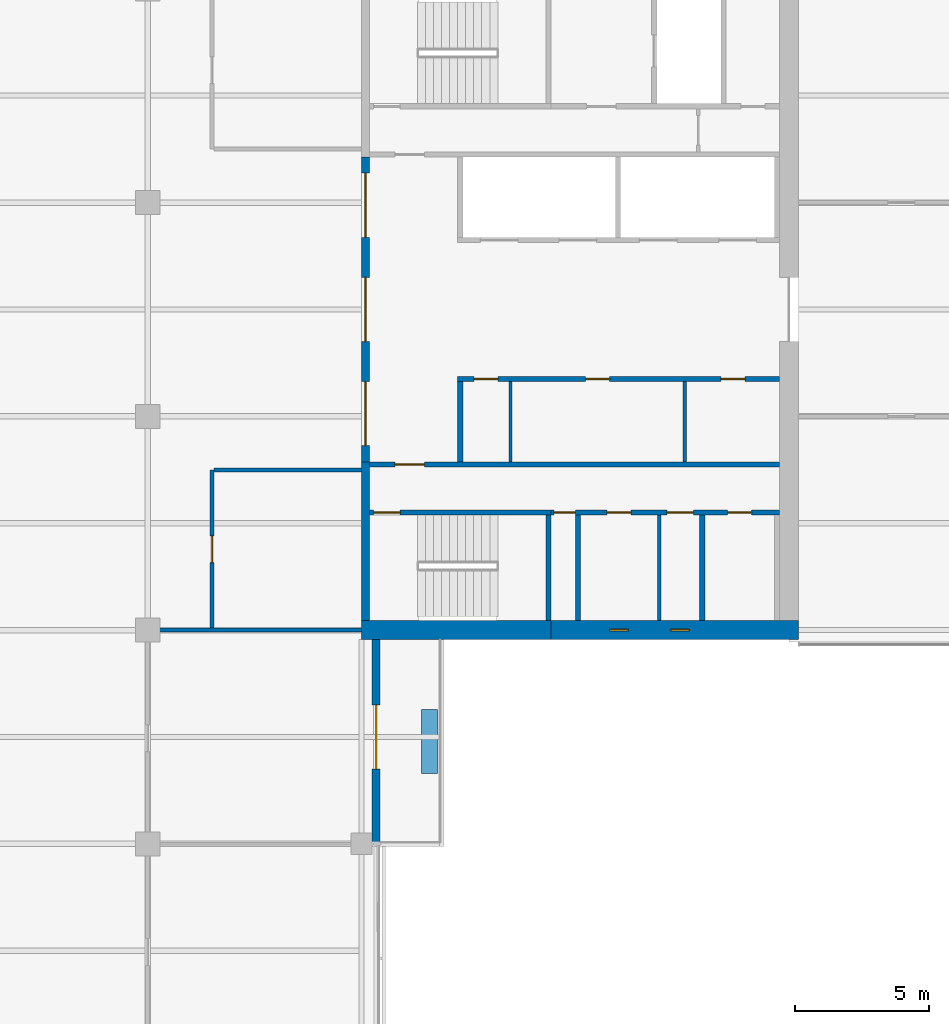
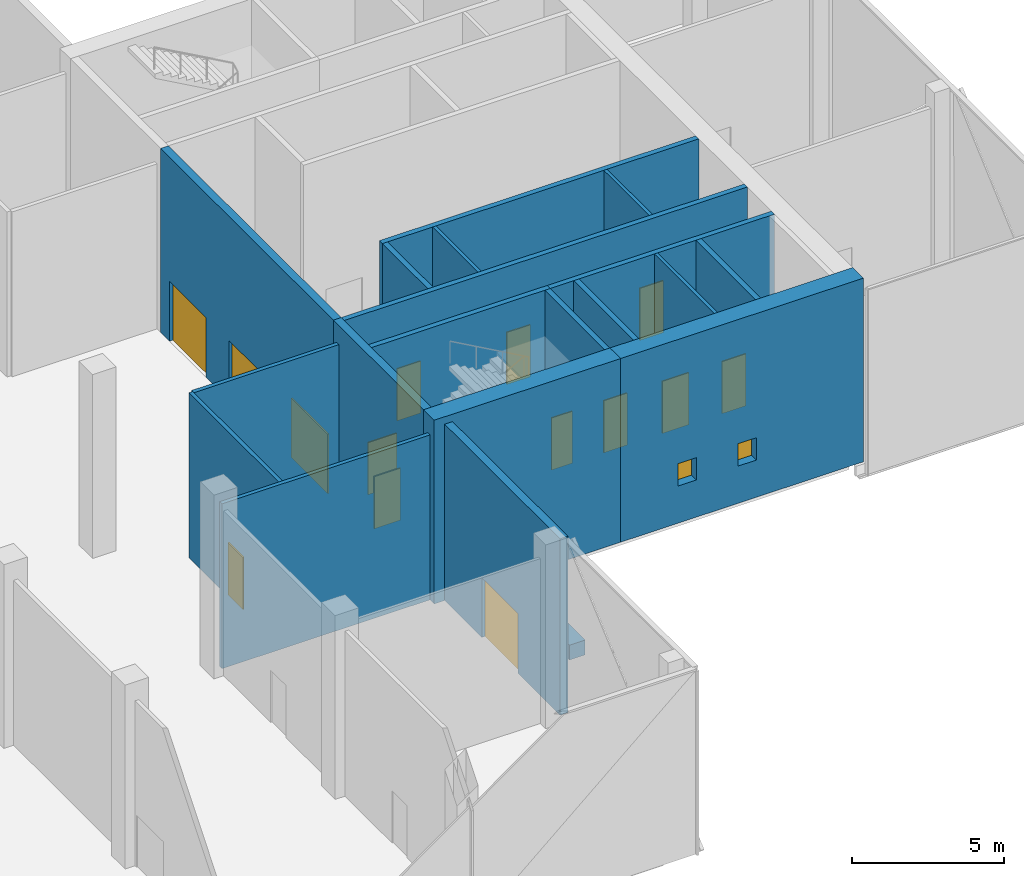
# One storey, part 11 of 20: 20 walls, 14 doors, 2 windows, 16 openings.
"""IFC4 building model written with IfcOpenShell, lengths in metres."""

import ifcopenshell
import ifcopenshell.guid

model = None  # the IFC model being written
_history = None  # IfcOwnerHistory: only IFC2X3 demands one
_inside = {}  # id of a spatial element -> (the spatial element, [elements in it])
_under = {}  # id of a project, library or spatial element -> (it, [spatial elements below it])
_declared = {}  # id of a project -> (the project, [libraries it declares])
_typed = {}  # id of a type object -> (the type object, [elements of that type])
_made_of = {}  # id of a material, layer set ... -> (it, [elements and type objects made of it])


def new_model(schema):
    """Start an empty IFC model of exactly this schema.

    Asked for "IFC4X3", IfcOpenShell would pick the latest addendum, in which some entities
    have other attributes; the version numbers below select the first issue.
    IFC2X3 requires an IfcOwnerHistory on every rooted entity: one is made here for all.
    """
    global model, _history
    if schema == "IFC4X3":
        model = ifcopenshell.file(schema_version=(4, 3, 0, 0))
    else:
        model = ifcopenshell.file(schema=schema)
    _inside.clear()
    _under.clear()
    _declared.clear()
    _typed.clear()
    _made_of.clear()
    _history = None
    if model.schema == "IFC2X3":
        org = make("IfcOrganization", Name="unknown")
        user = make(
            "IfcPersonAndOrganization",
            ThePerson=make("IfcPerson", FamilyName="unknown"),
            TheOrganization=org,
        )
        app = make(
            "IfcApplication",
            ApplicationDeveloper=org,
            Version="unknown",
            ApplicationFullName="unknown",
            ApplicationIdentifier="unknown",
        )
        _history = make(
            "IfcOwnerHistory",
            OwningUser=user,
            OwningApplication=app,
            ChangeAction="ADDED",
            CreationDate=0,
        )
    return model


def make(cls, **values):
    """One entity of the class cls with the attributes given. An attribute that is None is left unset."""
    return model.create_entity(
        cls, **{name: value for name, value in values.items() if value is not None}
    )


def rooted(cls, **values):
    """An entity with a GlobalId (a new one), such as an element, a storey or a relation."""
    return make(cls, GlobalId=ifcopenshell.guid.new(), OwnerHistory=_history, **values)


def si_unit(unit_type, name, prefix=None):
    """IfcSIUnit, for example si_unit("LENGTHUNIT", "METRE", prefix="MILLI")."""
    return make("IfcSIUnit", UnitType=unit_type, Prefix=prefix, Name=name)


def assignment(units):
    """IfcUnitAssignment: the units of a project."""
    return None if units is None else make("IfcUnitAssignment", Units=units)


def point(xyz):
    """IfcCartesianPoint."""
    return None if xyz is None else make("IfcCartesianPoint", Coordinates=xyz)


def direction(xyz):
    """IfcDirection."""
    return None if xyz is None else make("IfcDirection", DirectionRatios=xyz)


def frame(location, z_axis=None, x_axis=None):
    """IfcAxis2Placement3D, a coordinate frame: its origin and axes. An axis left out is left unset."""
    return make(
        "IfcAxis2Placement3D",
        Location=point(location),
        Axis=direction(z_axis),
        RefDirection=direction(x_axis),
    )


def frame_2d(location, x_axis=None):
    """IfcAxis2Placement2D, a coordinate frame in the plane: its origin and x axis."""
    return make(
        "IfcAxis2Placement2D", Location=point(location), RefDirection=direction(x_axis)
    )


def origin():
    """The frame at (0, 0, 0) with its axes left unset."""
    return frame((0.0, 0.0, 0.0))


def place(relative_to, where):
    """IfcLocalPlacement: puts the frame where relative to a parent placement (None: the world)."""
    return make(
        "IfcLocalPlacement", PlacementRelTo=relative_to, RelativePlacement=where
    )


def context(
    kind, dimensions, precision=None, world=None, true_north=None, identifier=None
):
    """IfcGeometricRepresentationContext, for example the 3D "Model" context."""
    return make(
        "IfcGeometricRepresentationContext",
        ContextIdentifier=identifier,
        ContextType=kind,
        CoordinateSpaceDimension=dimensions,
        Precision=precision,
        WorldCoordinateSystem=world,
        TrueNorth=true_north,
    )


def subcontext(parent, identifier, kind, view, scale=None):
    """IfcGeometricRepresentationSubContext, for example "Body" below "Model"."""
    return make(
        "IfcGeometricRepresentationSubContext",
        ContextIdentifier=identifier,
        ContextType=kind,
        ParentContext=parent,
        TargetScale=scale,
        TargetView=view,
    )


def project(units=None, contexts=None):
    """IfcProject with its units and contexts."""
    return rooted(
        "IfcProject",
        Name="project",
        RepresentationContexts=contexts,
        UnitsInContext=assignment(units),
    )


def spatial(cls, under=None, at=None, **own):
    """A site, building, storey or space (cls), placed at a placement, below another one or the project."""
    s = rooted(cls, ObjectPlacement=at, **own)
    if under is not None:
        _under.setdefault(under.id(), (under, []))[1].append(s)
    return s


def profile(cls, at=None, kind="AREA", **sizes):
    """A parametric profile (cls). Its sizes go by their IFC names, for example OverallWidth=200.0."""
    return make(cls, ProfileType=kind, Position=at, **sizes)


def rectangle(**sizes):
    """IfcRectangleProfileDef."""
    return profile("IfcRectangleProfileDef", **sizes)


def extrude(swept, where, along, depth):
    """IfcExtrudedAreaSolid: the profile swept, set in the frame where, extruded along a direction by depth."""
    return make(
        "IfcExtrudedAreaSolid",
        SweptArea=swept,
        Position=where,
        ExtrudedDirection=direction(along),
        Depth=depth,
    )


def shape(context_of_items, identifier, shape_type, items):
    """IfcShapeRepresentation: the items that make up one representation, for example the "Body"."""
    return make(
        "IfcShapeRepresentation",
        ContextOfItems=context_of_items,
        RepresentationIdentifier=identifier,
        RepresentationType=shape_type,
        Items=items,
    )


def material(Name=None, Category=None):
    """IfcMaterial."""
    return make("IfcMaterial", Name=Name, Category=Category)


def layer(
    of_material, thickness, ventilated=None, Name=None, Category=None, Priority=None
):
    """IfcMaterialLayer: one layer of a wall or slab, of a material (None: an air gap)."""
    return make(
        "IfcMaterialLayer",
        Material=of_material,
        LayerThickness=thickness,
        IsVentilated=ventilated,
        Name=Name,
        Category=Category,
        Priority=Priority,
    )


def layer_set(layers, Name=None):
    """IfcMaterialLayerSet."""
    return make("IfcMaterialLayerSet", MaterialLayers=layers, LayerSetName=Name)


def constituent(of_material, Name=None, Category=None, fraction=None):
    """IfcMaterialConstituent: one of the materials an element consists of."""
    return make(
        "IfcMaterialConstituent",
        Name=Name,
        Material=of_material,
        Fraction=fraction,
        Category=Category,
    )


def constituent_set(constituents=None, Name=None):
    """IfcMaterialConstituentSet."""
    return make(
        "IfcMaterialConstituentSet", Name=Name, MaterialConstituents=constituents
    )


def made_of(thing, what):
    """Note that an element or type object is made of a material, layer set ...; save() writes the relation."""
    if what is not None:
        _made_of.setdefault(what.id(), (what, []))[1].append(thing)
    return thing


def type_object(cls, material=None, **own):
    """A type object (cls), such as IfcWallType, which elements share."""
    return made_of(rooted(cls, **own), material)


def element(
    cls,
    number,
    at=None,
    inside=None,
    cuts=None,
    type_object=None,
    material=None,
    context=None,
    identifier="Body",
    shape_type=None,
    held_by="IfcProductDefinitionShape",
    body=None,
    shapes=None,
    **own,
):
    """One element of the class cls, such as IfcWall. Its Tag is "e" and its number.

    at: its placement. inside: the storey or other place that contains it. cuts: it is an
    opening in that element (IfcRelVoidsElement). A single representation is given by context,
    identifier, shape_type and body (its items); several are given by shapes. held_by: the class
    of the entity that holds the representations. save() writes the other relations.
    """
    e = rooted(cls, Tag="e%d" % number, ObjectPlacement=at, **own)
    if body is not None:
        shapes = [shape(context, identifier, shape_type, body)]
    if shapes is not None:
        e.Representation = make(held_by, Representations=shapes)
    if inside is not None:
        _inside.setdefault(inside.id(), (inside, []))[1].append(e)
    if cuts is not None:
        rooted(
            "IfcRelVoidsElement", RelatingBuildingElement=cuts, RelatedOpeningElement=e
        )
    if type_object is not None:
        _typed.setdefault(type_object.id(), (type_object, []))[1].append(e)
    return made_of(e, material)


def fill(opening, filler):
    """IfcRelFillsElement: the door or window that sits in an opening."""
    return rooted(
        "IfcRelFillsElement",
        RelatingOpeningElement=opening,
        RelatedBuildingElement=filler,
    )


def aggregate(whole, parts):
    """IfcRelAggregates: a whole, such as a stair, and the parts it consists of."""
    return rooted("IfcRelAggregates", RelatingObject=whole, RelatedObjects=parts)


def save(model, path):
    """Write the relations noted so far, then the file.

    IfcRelAggregates (storeys below a building ...), IfcRelContainedInSpatialStructure (elements
    in a storey), IfcRelDefinesByType, IfcRelAssociatesMaterial and IfcRelDeclares: one each for
    every whole, place, type object, material and project.
    """
    for whole, parts in _under.values():
        aggregate(whole, parts)
    for where, things in _inside.values():
        rooted(
            "IfcRelContainedInSpatialStructure",
            RelatedElements=things,
            RelatingStructure=where,
        )
    for kind, things in _typed.values():
        rooted("IfcRelDefinesByType", RelatedObjects=things, RelatingType=kind)
    for what, things in _made_of.values():
        rooted("IfcRelAssociatesMaterial", RelatedObjects=things, RelatingMaterial=what)
    for by, libraries in _declared.values():
        rooted("IfcRelDeclares", RelatingContext=by, RelatedDefinitions=libraries)
    model.write(path)


model = new_model("IFC4")

# Units and contexts
model_context = context("Model", 3, precision=1e-05, world=origin(), true_north=direction((0.0, 1.0)))
body_context = subcontext(model_context, "Body", "Model", "MODEL_VIEW")
ifc_project = project(units=[si_unit("LENGTHUNIT", "METRE"), si_unit("AREAUNIT", "SQUARE_METRE"), si_unit("VOLUMEUNIT", "CUBIC_METRE"), si_unit("PLANEANGLEUNIT", "RADIAN"), si_unit("MASSUNIT", "GRAM", prefix="KILO")], contexts=[model_context])

# Site, building, storey
site_placement = place(None, origin())
site = spatial("IfcSite", under=ifc_project, at=site_placement, CompositionType="ELEMENT")
building_placement = place(site_placement, origin())
building = spatial("IfcBuilding", under=site, at=building_placement, Name="Crosswind Convention Tower", CompositionType="ELEMENT")
storey_placement = place(building_placement, frame((0.0, 0.0, 171.5)))
storey = spatial("IfcBuildingStorey", under=building, at=storey_placement, Name="L36", CompositionType="ELEMENT", Elevation=171.5)

# Wall
ifc_material_1 = material(Name="Concrete blockwork", Category="masonry")
ifc_layer_1 = layer(ifc_material_1, 0.199951171875)
ifc_layer_set_1 = layer_set([ifc_layer_1], Name="Blockwork partition wall 200")
wall_type_1 = type_object("IfcWallType", Name="Blockwork partition wall 200", PredefinedType="PARTITIONING", material=ifc_layer_set_1)
wall_1_placement = place(storey_placement, frame((145.10009765625, 88.35009765625, 0.0), z_axis=(0.0, 0.0, 1.0), x_axis=(0.0, 1.0, 0.0)))
element("IfcWall", 1, at=wall_1_placement, inside=storey, type_object=wall_type_1, Name="Wall MRSE E L36", PredefinedType="PARTITIONING", context=body_context, shape_type="SweptSolid", body=[
    extrude(rectangle(XDim=3.949951171875, YDim=0.199951171875, at=frame_2d((1.97509765625, 0.0))), origin(), (0.0, 0.0, 1.0), 7.39990234375),
])

# Wall, openings, doors
ifc_material_2 = material(Name="Concrete C50/60", Category="concrete")
ifc_layer_2 = layer(ifc_material_2, 0.300048828125)
ifc_layer_set_2 = layer_set([ifc_layer_2], Name="Concrete C50/60")
wall_type_2 = type_object("IfcWallType", Name="Concrete inner core wall 300", PredefinedType="SHEAR", material=ifc_layer_set_2)
wall_2_placement = place(storey_placement, frame((137.14990234375, 94.300048828125, 0.0), z_axis=(0.0, 0.0, 1.0), x_axis=(0.0, 1.0, 0.0)))
wall_2 = element("IfcWall", 2, at=wall_2_placement, inside=storey, type_object=wall_type_2, Name="Wall SCR E L36", PredefinedType="SHEAR", context=body_context, shape_type="SweptSolid", body=[
    extrude(rectangle(XDim=11.39990234375, YDim=0.300048828125, at=frame_2d((5.699951171875, 0.0))), origin(), (0.0, 0.0, 1.0), 7.39990234375),
])
opening_1_placement = place(wall_2_placement, frame((0.60009765625, 0.0, 0.0)))
opening_1 = element("IfcOpeningElement", 3, at=opening_1_placement, cuts=wall_2, Name="Opening D100", PredefinedType="OPENING", context=body_context, shape_type="SweptSolid", body=[
    extrude(rectangle(XDim=2.39990234375, YDim=2.39990234375, at=frame_2d((1.199951171875, 1.199951171875))), frame((0.0, 0.159912109375, 0.0), z_axis=(0.0, -1.0, 0.0), x_axis=(1.0, 0.0, 0.0)), (0.0, 0.0, 1.0), 0.320068359375),
])
opening_2_placement = place(wall_2_placement, frame((4.5, 0.0, 0.0)))
opening_2 = element("IfcOpeningElement", 4, at=opening_2_placement, cuts=wall_2, Name="Opening D100", PredefinedType="OPENING", context=body_context, shape_type="SweptSolid", body=[
    extrude(rectangle(XDim=2.39990234375, YDim=2.39990234375, at=frame_2d((1.199951171875, 1.199951171875))), frame((0.0, 0.159912109375, 0.0), z_axis=(0.0, -1.0, 0.0), x_axis=(1.0, 0.0, 0.0)), (0.0, 0.0, 1.0), 0.320068359375),
])
opening_3_placement = place(wall_2_placement, frame((8.39990234375, 0.0, 0.0)))
opening_3 = element("IfcOpeningElement", 5, at=opening_3_placement, cuts=wall_2, Name="Opening D100", PredefinedType="OPENING", context=body_context, shape_type="SweptSolid", body=[
    extrude(rectangle(XDim=2.39990234375, YDim=2.39990234375, at=frame_2d((1.199951171875, 1.199951171875))), frame((0.0, 0.159912109375, 0.0), z_axis=(0.0, -1.0, 0.0), x_axis=(1.0, 0.0, 0.0)), (0.0, 0.0, 1.0), 0.320068359375),
])
ifc_material_3 = material(Name="Steel fire door with glazed vision panels", Category="steel")
door_type_1 = type_object("IfcDoorType", Name="Fire-rated double door 2400x2400", OperationType="DOUBLE_DOOR_SINGLE_SWING", PredefinedType="DOOR", material=ifc_material_3)
door_1_placement = place(opening_1_placement, origin())
door_1 = element("IfcDoor", 6, at=door_1_placement, inside=storey, type_object=door_type_1, Name="Lobby door 1 L36", ObjectType="D100", OperationType="DOUBLE_DOOR_SINGLE_SWING", OverallHeight=2.39990234375, OverallWidth=2.39990234375, PredefinedType="DOOR", context=body_context, shape_type="SweptSolid", body=[
    extrude(rectangle(XDim=2.39990234375, YDim=2.39990234375, at=frame_2d((1.199951171875, 1.199951171875))), frame((0.0, 0.02490234375, 0.0), z_axis=(0.0, -1.0, 0.0), x_axis=(1.0, 0.0, 0.0)), (0.0, 0.0, 1.0), 0.050048828125),
])
fill(opening_1, door_1)
door_2_placement = place(opening_2_placement, origin())
door_2 = element("IfcDoor", 7, at=door_2_placement, inside=storey, type_object=door_type_1, Name="Lobby door 2 L36", ObjectType="D100", OperationType="DOUBLE_DOOR_SINGLE_SWING", OverallHeight=2.39990234375, OverallWidth=2.39990234375, PredefinedType="DOOR", context=body_context, shape_type="SweptSolid", body=[
    extrude(rectangle(XDim=2.39990234375, YDim=2.39990234375, at=frame_2d((1.199951171875, 1.199951171875))), frame((0.0, 0.02490234375, 0.0), z_axis=(0.0, -1.0, 0.0), x_axis=(1.0, 0.0, 0.0)), (0.0, 0.0, 1.0), 0.050048828125),
])
fill(opening_2, door_2)
door_3_placement = place(opening_3_placement, origin())
door_3 = element("IfcDoor", 8, at=door_3_placement, inside=storey, type_object=door_type_1, Name="Lobby door 3 L36", ObjectType="D100", OperationType="DOUBLE_DOOR_SINGLE_SWING", OverallHeight=2.39990234375, OverallWidth=2.39990234375, PredefinedType="DOOR", context=body_context, shape_type="SweptSolid", body=[
    extrude(rectangle(XDim=2.39990234375, YDim=2.39990234375, at=frame_2d((1.199951171875, 1.199951171875))), frame((0.0, 0.02490234375, 0.0), z_axis=(0.0, -1.0, 0.0), x_axis=(1.0, 0.0, 0.0)), (0.0, 0.0, 1.0), 0.050048828125),
])
fill(opening_3, door_3)

# Walls
wall_3_placement = place(storey_placement, frame((137.14990234375, 88.35009765625, 0.0), z_axis=(0.0, 0.0, 1.0), x_axis=(0.0, 1.0, 0.0)))
element("IfcWall", 9, at=wall_3_placement, inside=storey, type_object=wall_type_2, Name="Wall EM E L36", PredefinedType="SHEAR", context=body_context, shape_type="SweptSolid", body=[
    extrude(rectangle(XDim=5.949951171875, YDim=0.300048828125, at=frame_2d((2.97509765625, 0.0))), origin(), (0.0, 0.0, 1.0), 7.39990234375),
])
ifc_layer_3 = layer(ifc_material_2, 0.199951171875)
ifc_layer_set_3 = layer_set([ifc_layer_3], Name="Concrete C50/60")
wall_type_3 = type_object("IfcWallType", Name="Concrete shaft and stair wall 200", PredefinedType="SHEAR", material=ifc_layer_set_3)
wall_4_placement = place(storey_placement, frame((140.699951171875, 94.300048828125, 0.0), z_axis=(0.0, 0.0, 1.0), x_axis=(0.0, 1.0, 0.0)))
element("IfcWall", 10, at=wall_4_placement, inside=storey, type_object=wall_type_3, Name="Wall RMEND E L36", PredefinedType="SHEAR", context=body_context, shape_type="SweptSolid", body=[
    extrude(rectangle(XDim=3.0, YDim=0.199951171875, at=frame_2d((1.5, 0.0))), origin(), (0.0, 0.0, 1.0), 7.39990234375),
])

# Wall, openings, doors
wall_5_placement = place(storey_placement, frame((140.60009765625, 97.39990234375, 0.0), z_axis=(0.0, 0.0, 1.0), x_axis=(1.0, 0.0, 0.0)))
wall_5 = element("IfcWall", 11, at=wall_5_placement, inside=storey, type_object=wall_type_3, Name="Wall RMFRONT E L36", PredefinedType="SHEAR", context=body_context, shape_type="SweptSolid", body=[
    extrude(rectangle(XDim=12.0498046875, YDim=0.199951171875, at=frame_2d((6.02490234375, 0.0))), origin(), (0.0, 0.0, 1.0), 7.39990234375),
])
opening_4_placement = place(wall_5_placement, frame((0.607421875, 0.0, 0.0)))
opening_4 = element("IfcOpeningElement", 12, at=opening_4_placement, cuts=wall_5, Name="Opening D106", PredefinedType="OPENING", context=body_context, shape_type="SweptSolid", body=[
    extrude(rectangle(XDim=0.89990234375, YDim=2.10009765625, at=frame_2d((0.449951171875, 1.050048828125))), frame((0.0, 0.10986328125, 0.0), z_axis=(0.0, -1.0, 0.0), x_axis=(1.0, 0.0, 0.0)), (0.0, 0.0, 1.0), 0.219970703125),
])
opening_5_placement = place(wall_5_placement, frame((4.7861328125, 0.0, 0.0)))
opening_5 = element("IfcOpeningElement", 13, at=opening_5_placement, cuts=wall_5, Name="Opening D106", PredefinedType="OPENING", context=body_context, shape_type="SweptSolid", body=[
    extrude(rectangle(XDim=0.89990234375, YDim=2.10009765625, at=frame_2d((0.449951171875, 1.050048828125))), frame((0.0, 0.10986328125, 0.0), z_axis=(0.0, -1.0, 0.0), x_axis=(1.0, 0.0, 0.0)), (0.0, 0.0, 1.0), 0.219970703125),
])
opening_6_placement = place(wall_5_placement, frame((9.853759765625, 0.0, 0.0)))
opening_6 = element("IfcOpeningElement", 14, at=opening_6_placement, cuts=wall_5, Name="Opening D106", PredefinedType="OPENING", context=body_context, shape_type="SweptSolid", body=[
    extrude(rectangle(XDim=0.89990234375, YDim=2.10009765625, at=frame_2d((0.449951171875, 1.050048828125))), frame((0.0, 0.10986328125, 0.0), z_axis=(0.0, -1.0, 0.0), x_axis=(1.0, 0.0, 0.0)), (0.0, 0.0, 1.0), 0.219970703125),
])
ifc_material_4 = material(Name="Timber door", Category="wood")
door_type_2 = type_object("IfcDoorType", Name="Single leaf door 900x2100", OperationType="NOTDEFINED", PredefinedType="DOOR", material=ifc_material_4)
door_4_placement = place(opening_4_placement, frame((0.89990234375, 0.0, 0.0), z_axis=(0.0, 0.0, 1.0), x_axis=(-1.0, 0.0, 0.0)))
door_4 = element("IfcDoor", 15, at=door_4_placement, inside=storey, type_object=door_type_2, Name="Door to meeting room L36", ObjectType="D106", OperationType="SINGLE_SWING_LEFT", OverallHeight=2.10009765625, OverallWidth=0.89990234375, PredefinedType="DOOR", context=body_context, shape_type="SweptSolid", body=[
    extrude(rectangle(XDim=0.89990234375, YDim=2.10009765625, at=frame_2d((0.449951171875, 1.050048828125))), frame((0.0, 0.02490234375, 0.0), z_axis=(0.0, -1.0, 0.0), x_axis=(1.0, 0.0, 0.0)), (0.0, 0.0, 1.0), 0.050048828125),
])
fill(opening_4, door_4)
door_5_placement = place(opening_5_placement, frame((0.89990234375, 0.0, 0.0), z_axis=(0.0, 0.0, 1.0), x_axis=(-1.0, 0.0, 0.0)))
door_5 = element("IfcDoor", 16, at=door_5_placement, inside=storey, type_object=door_type_2, Name="Door to storeroom L36", ObjectType="D106", OperationType="SINGLE_SWING_LEFT", OverallHeight=2.10009765625, OverallWidth=0.89990234375, PredefinedType="DOOR", context=body_context, shape_type="SweptSolid", body=[
    extrude(rectangle(XDim=0.89990234375, YDim=2.10009765625, at=frame_2d((0.449951171875, 1.050048828125))), frame((0.0, 0.02490234375, 0.0), z_axis=(0.0, -1.0, 0.0), x_axis=(1.0, 0.0, 0.0)), (0.0, 0.0, 1.0), 0.050048828125),
])
fill(opening_5, door_5)
door_6_placement = place(opening_6_placement, frame((0.89990234375, 0.0, 0.0), z_axis=(0.0, 0.0, 1.0), x_axis=(-1.0, 0.0, 0.0)))
door_6 = element("IfcDoor", 17, at=door_6_placement, inside=storey, type_object=door_type_2, Name="Door to print room L36", ObjectType="D106", OperationType="SINGLE_SWING_LEFT", OverallHeight=2.10009765625, OverallWidth=0.89990234375, PredefinedType="DOOR", context=body_context, shape_type="SweptSolid", body=[
    extrude(rectangle(XDim=0.89990234375, YDim=2.10009765625, at=frame_2d((0.449951171875, 1.050048828125))), frame((0.0, 0.02490234375, 0.0), z_axis=(0.0, -1.0, 0.0), x_axis=(1.0, 0.0, 0.0)), (0.0, 0.0, 1.0), 0.050048828125),
])
fill(opening_6, door_6)

# Wall, opening, door
wall_6_placement = place(storey_placement, frame((137.300048828125, 94.199951171875, 0.0), z_axis=(0.0, 0.0, 1.0), x_axis=(1.0, 0.0, 0.0)))
wall_6 = element("IfcWall", 18, at=wall_6_placement, inside=storey, type_object=wall_type_3, Name="Wall HM E L36", PredefinedType="SHEAR", context=body_context, shape_type="SweptSolid", body=[
    extrude(rectangle(XDim=15.349853515625, YDim=0.199951171875, at=frame_2d((7.6748046875, 0.0))), origin(), (0.0, 0.0, 1.0), 7.39990234375),
])
opening_7_placement = place(wall_6_placement, frame((0.949951171875, 0.0, 0.0)))
opening_7 = element("IfcOpeningElement", 19, at=opening_7_placement, cuts=wall_6, Name="Opening D104", PredefinedType="OPENING", context=body_context, shape_type="SweptSolid", body=[
    extrude(rectangle(XDim=1.10009765625, YDim=2.10009765625, at=frame_2d((0.550048828125, 1.050048828125))), frame((0.0, 0.10986328125, 0.0), z_axis=(0.0, -1.0, 0.0), x_axis=(1.0, 0.0, 0.0)), (0.0, 0.0, 1.0), 0.219970703125),
])
ifc_material_5 = material(Name="Steel fire door", Category="steel")
door_type_3 = type_object("IfcDoorType", Name="Fire-rated single door 1100x2100", OperationType="NOTDEFINED", PredefinedType="DOOR", material=ifc_material_5)
door_7_placement = place(opening_7_placement, origin())
door_7 = element("IfcDoor", 20, at=door_7_placement, inside=storey, type_object=door_type_3, Name="Corridor door L36", ObjectType="D104", OperationType="SINGLE_SWING_LEFT", OverallHeight=2.10009765625, OverallWidth=1.10009765625, PredefinedType="DOOR", context=body_context, shape_type="SweptSolid", body=[
    extrude(rectangle(XDim=1.10009765625, YDim=2.10009765625, at=frame_2d((0.550048828125, 1.050048828125))), frame((0.0, 0.02490234375, 0.0), z_axis=(0.0, -1.0, 0.0), x_axis=(1.0, 0.0, 0.0)), (0.0, 0.0, 1.0), 0.050048828125),
])
fill(opening_7, door_7)

# Walls
for number, where, z_axis, x_axis, name in (
    (21, (144.0, 88.35009765625, 0.0), (0.0, 0.0, 1.0), (0.0, 1.0, 0.0), "Wall MSE E L36"),
    (22, (149.75, 88.35009765625, 0.0), (0.0, 0.0, 1.0), (0.0, 1.0, 0.0), "Wall MFSW E L36"),
):
    element("IfcWall", number, at=place(storey_placement, frame(where, z_axis=z_axis, x_axis=x_axis)), inside=storey, type_object=wall_type_3, Name=name, PredefinedType="SHEAR", context=body_context, shape_type="SweptSolid", body=[
        extrude(rectangle(XDim=3.949951171875, YDim=0.199951171875, at=frame_2d((1.97509765625, 0.0))), origin(), (0.0, 0.0, 1.0), 7.39990234375),
    ])

# Wall, opening, door
wall_7_placement = place(storey_placement, frame((137.300048828125, 92.39990234375, 0.0), z_axis=(0.0, 0.0, 1.0), x_axis=(1.0, 0.0, 0.0)))
wall_7 = element("IfcWall", 23, at=wall_7_placement, inside=storey, type_object=wall_type_3, Name="Wall MCW E L36", PredefinedType="SHEAR", context=body_context, shape_type="SweptSolid", body=[
    extrude(rectangle(XDim=6.800048828125, YDim=0.199951171875, at=frame_2d((3.39990234375, 0.0))), origin(), (0.0, 0.0, 1.0), 7.39990234375),
])
opening_8_placement = place(wall_7_placement, frame((0.14990234375, 0.0, 0.0)))
opening_8 = element("IfcOpeningElement", 24, at=opening_8_placement, cuts=wall_7, Name="Opening D103", PredefinedType="OPENING", context=body_context, shape_type="SweptSolid", body=[
    extrude(rectangle(XDim=1.0, YDim=2.10009765625, at=frame_2d((0.5, 1.050048828125))), frame((0.0, 0.10986328125, 0.0), z_axis=(0.0, -1.0, 0.0), x_axis=(1.0, 0.0, 0.0)), (0.0, 0.0, 1.0), 0.219970703125),
])
door_type_4 = type_object("IfcDoorType", Name="Fire-rated single door 1000x2100", OperationType="NOTDEFINED", PredefinedType="DOOR", material=ifc_material_5)
door_8_placement = place(opening_8_placement, frame((1.0, 0.0, 0.0), z_axis=(0.0, 0.0, 1.0), x_axis=(-1.0, 0.0, 0.0)))
door_8 = element("IfcDoor", 25, at=door_8_placement, inside=storey, type_object=door_type_4, Name="Stair ST2 door L36", ObjectType="D103", OperationType="SINGLE_SWING_RIGHT", OverallHeight=2.10009765625, OverallWidth=1.0, PredefinedType="DOOR", context=body_context, shape_type="SweptSolid", body=[
    extrude(rectangle(XDim=1.0, YDim=2.10009765625, at=frame_2d((0.5, 1.050048828125))), frame((0.0, 0.02490234375, 0.0), z_axis=(0.0, -1.0, 0.0), x_axis=(1.0, 0.0, 0.0)), (0.0, 0.0, 1.0), 0.050048828125),
])
fill(opening_8, door_8)

# Wall, openings, doors
wall_8_placement = place(storey_placement, frame((144.10009765625, 92.39990234375, 0.0), z_axis=(0.0, 0.0, 1.0), x_axis=(1.0, 0.0, 0.0)))
wall_8 = element("IfcWall", 26, at=wall_8_placement, inside=storey, type_object=wall_type_3, Name="Wall MCX E L36", PredefinedType="SHEAR", context=body_context, shape_type="SweptSolid", body=[
    extrude(rectangle(XDim=8.5498046875, YDim=0.199951171875, at=frame_2d((4.27490234375, 0.0))), origin(), (0.0, 0.0, 1.0), 7.39990234375),
])
opening_9_placement = place(wall_8_placement, frame((0.10009765625, 0.0, 0.0)))
opening_9 = element("IfcOpeningElement", 27, at=opening_9_placement, cuts=wall_8, Name="Opening D105", PredefinedType="OPENING", context=body_context, shape_type="SweptSolid", body=[
    extrude(rectangle(XDim=0.800048828125, YDim=2.10009765625, at=frame_2d((0.39990234375, 1.050048828125))), frame((0.0, 0.10986328125, 0.0), z_axis=(0.0, -1.0, 0.0), x_axis=(1.0, 0.0, 0.0)), (0.0, 0.0, 1.0), 0.219970703125),
])
opening_10_placement = place(wall_8_placement, frame((2.087158203125, 0.0, 0.0)))
opening_10 = element("IfcOpeningElement", 28, at=opening_10_placement, cuts=wall_8, Name="Opening D106", PredefinedType="OPENING", context=body_context, shape_type="SweptSolid", body=[
    extrude(rectangle(XDim=0.89990234375, YDim=2.10009765625, at=frame_2d((0.449951171875, 1.050048828125))), frame((0.0, 0.10986328125, 0.0), z_axis=(0.0, -1.0, 0.0), x_axis=(1.0, 0.0, 0.0)), (0.0, 0.0, 1.0), 0.219970703125),
])
opening_11_placement = place(wall_8_placement, frame((4.32470703125, 0.0, 0.0)))
opening_11 = element("IfcOpeningElement", 29, at=opening_11_placement, cuts=wall_8, Name="Opening D103", PredefinedType="OPENING", context=body_context, shape_type="SweptSolid", body=[
    extrude(rectangle(XDim=1.0, YDim=2.10009765625, at=frame_2d((0.5, 1.050048828125))), frame((0.0, 0.10986328125, 0.0), z_axis=(0.0, -1.0, 0.0), x_axis=(1.0, 0.0, 0.0)), (0.0, 0.0, 1.0), 0.219970703125),
])
opening_12_placement = place(wall_8_placement, frame((6.60009765625, 0.0, 0.0)))
opening_12 = element("IfcOpeningElement", 30, at=opening_12_placement, cuts=wall_8, Name="Opening D106", PredefinedType="OPENING", context=body_context, shape_type="SweptSolid", body=[
    extrude(rectangle(XDim=0.89990234375, YDim=2.10009765625, at=frame_2d((0.449951171875, 1.050048828125))), frame((0.0, 0.10986328125, 0.0), z_axis=(0.0, -1.0, 0.0), x_axis=(1.0, 0.0, 0.0)), (0.0, 0.0, 1.0), 0.219970703125),
])
door_9_placement = place(opening_11_placement, frame((1.0, 0.0, 0.0), z_axis=(0.0, 0.0, 1.0), x_axis=(-1.0, 0.0, 0.0)))
door_9 = element("IfcDoor", 31, at=door_9_placement, inside=storey, type_object=door_type_4, Name="Door to accessible wc L36", ObjectType="D103", OperationType="SINGLE_SWING_LEFT", OverallHeight=2.10009765625, OverallWidth=1.0, PredefinedType="DOOR", context=body_context, shape_type="SweptSolid", body=[
    extrude(rectangle(XDim=1.0, YDim=2.10009765625, at=frame_2d((0.5, 1.050048828125))), frame((0.0, 0.02490234375, 0.0), z_axis=(0.0, -1.0, 0.0), x_axis=(1.0, 0.0, 0.0)), (0.0, 0.0, 1.0), 0.050048828125),
])
fill(opening_11, door_9)
door_type_5 = type_object("IfcDoorType", Name="Riser access door 800x2100", OperationType="NOTDEFINED", PredefinedType="DOOR", material=ifc_material_5)
door_10_placement = place(opening_9_placement, frame((0.800048828125, 0.0, 0.0), z_axis=(0.0, 0.0, 1.0), x_axis=(-1.0, 0.0, 0.0)))
door_10 = element("IfcDoor", 32, at=door_10_placement, inside=storey, type_object=door_type_5, Name="Riser door L36", ObjectType="D105", OperationType="SINGLE_SWING_LEFT", OverallHeight=2.10009765625, OverallWidth=0.800048828125, PredefinedType="DOOR", context=body_context, shape_type="SweptSolid", body=[
    extrude(rectangle(XDim=0.800048828125, YDim=2.10009765625, at=frame_2d((0.39990234375, 1.050048828125))), frame((0.0, 0.02490234375, 0.0), z_axis=(0.0, -1.0, 0.0), x_axis=(1.0, 0.0, 0.0)), (0.0, 0.0, 1.0), 0.050048828125),
])
fill(opening_9, door_10)
door_11_placement = place(opening_10_placement, frame((0.89990234375, 0.0, 0.0), z_axis=(0.0, 0.0, 1.0), x_axis=(-1.0, 0.0, 0.0)))
door_11 = element("IfcDoor", 33, at=door_11_placement, inside=storey, type_object=door_type_2, Name="Door to wc L36", ObjectType="D106", OperationType="SINGLE_SWING_LEFT", OverallHeight=2.10009765625, OverallWidth=0.89990234375, PredefinedType="DOOR", context=body_context, shape_type="SweptSolid", body=[
    extrude(rectangle(XDim=0.89990234375, YDim=2.10009765625, at=frame_2d((0.449951171875, 1.050048828125))), frame((0.0, 0.02490234375, 0.0), z_axis=(0.0, -1.0, 0.0), x_axis=(1.0, 0.0, 0.0)), (0.0, 0.0, 1.0), 0.050048828125),
])
fill(opening_10, door_11)
door_12_placement = place(opening_12_placement, frame((0.89990234375, 0.0, 0.0), z_axis=(0.0, 0.0, 1.0), x_axis=(-1.0, 0.0, 0.0)))
door_12 = element("IfcDoor", 34, at=door_12_placement, inside=storey, type_object=door_type_2, Name="Door to accessible wc L36", ObjectType="D106", OperationType="SINGLE_SWING_LEFT", OverallHeight=2.10009765625, OverallWidth=0.89990234375, PredefinedType="DOOR", context=body_context, shape_type="SweptSolid", body=[
    extrude(rectangle(XDim=0.89990234375, YDim=2.10009765625, at=frame_2d((0.449951171875, 1.050048828125))), frame((0.0, 0.02490234375, 0.0), z_axis=(0.0, -1.0, 0.0), x_axis=(1.0, 0.0, 0.0)), (0.0, 0.0, 1.0), 0.050048828125),
])
fill(opening_12, door_12)

# Walls
ifc_material_6 = material(Name="Gypsum plasterboard partition", Category="gypsum")
ifc_layer_4 = layer(ifc_material_6, 0.125)
ifc_layer_set_4 = layer_set([ifc_layer_4], Name="Drywall partition wall 125")
wall_type_4 = type_object("IfcWallType", Name="Drywall partition wall 125", PredefinedType="PARTITIONING", material=ifc_layer_set_4)
for number, where, z_axis, x_axis, name in (
    (35, (142.577392578125, 94.300048828125, 0.0), (0.0, 0.0, 1.0), (0.0, 1.0, 0.0), "Wall RMP1 E L36"),
    (36, (149.094970703125, 94.300048828125, 0.0), (0.0, 0.0, 1.0), (0.0, 1.0, 0.0), "Wall RMP2 E L36"),
):
    element("IfcWall", number, at=place(storey_placement, frame(where, z_axis=z_axis, x_axis=x_axis)), inside=storey, type_object=wall_type_4, Name=name, PredefinedType="PARTITIONING", context=body_context, shape_type="SweptSolid", body=[
        extrude(rectangle(XDim=3.0, YDim=0.125, at=frame_2d((1.5, 0.0))), origin(), (0.0, 0.0, 1.0), 7.39990234375),
    ])
wall_9_placement = place(storey_placement, frame((148.136962890625, 88.35009765625, 0.0), z_axis=(0.0, 0.0, 1.0), x_axis=(0.0, 1.0, 0.0)))
element("IfcWall", 37, at=wall_9_placement, inside=storey, type_object=wall_type_4, Name="Wall MWP1 E L36", PredefinedType="PARTITIONING", context=body_context, shape_type="SweptSolid", body=[
    extrude(rectangle(XDim=3.949951171875, YDim=0.125, at=frame_2d((1.97509765625, 0.0))), origin(), (0.0, 0.0, 1.0), 7.39990234375),
])
ifc_material_7 = material(Name="Concrete C30/37", Category="concrete")
ifc_layer_5 = layer(ifc_material_7, 0.60009765625)
ifc_layer_set_5 = layer_set([ifc_layer_5], Name="Concrete C30/37")
wall_type_5 = type_object("IfcWallType", Name="PLANTER BOX WALL 600", PredefinedType="SOLIDWALL", material=ifc_layer_set_5)
wall_10_placement = place(storey_placement, frame((139.550048828125, 82.625, 0.0), z_axis=(0.0, 0.0, 1.0), x_axis=(0.0, 1.0, 0.0)))
element("IfcWall", 38, at=wall_10_placement, inside=storey, type_object=wall_type_5, Name="PLANTER L36 S-E.1-2", PredefinedType="SOLIDWALL", context=body_context, shape_type="SweptSolid", body=[
    extrude(rectangle(XDim=2.39990234375, YDim=0.60009765625, at=frame_2d((1.199951171875, 0.0))), origin(), (0.0, 0.0, 1.0), 0.60009765625),
])

# Wall, opening, door
ifc_material_8 = material(Name="Fire-board partition with mineral wool", Category="gypsum")
ifc_layer_6 = layer(ifc_material_8, 0.14990234375)
ifc_layer_set_6 = layer_set([ifc_layer_6], Name="TENANCY WALL 150 TWO-HOUR BOARD")
wall_type_6 = type_object("IfcWallType", Name="TENANCY WALL 150 TWO-HOUR BOARD", PredefinedType="PARTITIONING", material=ifc_layer_set_6)
wall_11_placement = place(storey_placement, frame((131.39990234375, 88.074951171875, 0.0), z_axis=(0.0, 0.0, 1.0), x_axis=(0.0, 1.0, 0.0)))
wall_11 = element("IfcWall", 39, at=wall_11_placement, inside=storey, type_object=wall_type_6, Name="Tenancy wall WT41", PredefinedType="PARTITIONING", context=body_context, shape_type="SweptSolid", body=[
    extrude(rectangle(XDim=5.925048828125, YDim=0.14990234375, at=frame_2d((2.96240234375, 0.0))), origin(), (0.0, 0.0, 1.0), 6.639892578125),
])
opening_13_placement = place(wall_11_placement, frame((2.449951171875, 0.0, 0.0)))
opening_13 = element("IfcOpeningElement", 40, at=opening_13_placement, cuts=wall_11, Name="Opening L36-59", PredefinedType="OPENING", context=body_context, shape_type="SweptSolid", body=[
    extrude(rectangle(XDim=1.0, YDim=2.10009765625, at=frame_2d((0.5, 1.050048828125))), frame((0.0, 0.0849609375, 0.0), z_axis=(0.0, -1.0, 0.0), x_axis=(1.0, 0.0, 0.0)), (0.0, 0.0, 1.0), 0.169921875),
])
ifc_material_9 = material(Name="Timber fire door", Category="wood")
door_type_6 = type_object("IfcDoorType", Name="TENANCY ENTRANCE DOOR 1000X2100 FD30S", OperationType="NOTDEFINED", PredefinedType="DOOR", material=ifc_material_9)
door_13_placement = place(opening_13_placement, frame((1.0, 0.0, 0.0), z_axis=(0.0, 0.0, 1.0), x_axis=(-1.0, 0.0, 0.0)))
door_13 = element("IfcDoor", 41, at=door_13_placement, inside=storey, type_object=door_type_6, Name="Door L36-59", ObjectType="D41", OperationType="SINGLE_SWING_LEFT", OverallHeight=2.10009765625, OverallWidth=1.0, PredefinedType="DOOR", context=body_context, shape_type="SweptSolid", body=[
    extrude(rectangle(XDim=1.0, YDim=2.10009765625, at=frame_2d((0.5, 1.050048828125))), frame((0.0, 0.02490234375, 0.0), z_axis=(0.0, -1.0, 0.0), x_axis=(1.0, 0.0, 0.0)), (0.0, 0.0, 1.0), 0.050048828125),
])
fill(opening_13, door_13)

# Walls
wall_12_placement = place(storey_placement, frame((129.074951171875, 88.0, 0.0), z_axis=(0.0, 0.0, 1.0), x_axis=(1.0, 0.0, 0.0)))
element("IfcWall", 42, at=wall_12_placement, inside=storey, type_object=wall_type_6, Name="Tenancy wall WT41", PredefinedType="PARTITIONING", context=body_context, shape_type="SweptSolid", body=[
    extrude(rectangle(XDim=7.925048828125, YDim=0.14990234375, at=frame_2d((3.96240234375, 0.0))), origin(), (0.0, 0.0, 1.0), 6.639892578125),
])
wall_13_placement = place(storey_placement, frame((131.47509765625, 94.0, 0.0), z_axis=(0.0, 0.0, 1.0), x_axis=(1.0, 0.0, 0.0)))
element("IfcWall", 43, at=wall_13_placement, inside=storey, type_object=wall_type_6, Name="Tenancy wall WT41", PredefinedType="PARTITIONING", context=body_context, shape_type="SweptSolid", body=[
    extrude(rectangle(XDim=5.52490234375, YDim=0.14990234375, at=frame_2d((2.762451171875, 0.0))), origin(), (0.0, 0.0, 1.0), 6.639892578125),
])

# Wall, opening, door
ifc_material_10 = material(Name="Terracotta rainscreen", Category="ceramic")
ifc_layer_7 = layer(ifc_material_10, 0.02001953125)
ifc_material_11 = material(Name="Mineral wool insulation", Category="insulation")
ifc_layer_8 = layer(ifc_material_11, 0.10009765625)
ifc_layer_9 = layer(ifc_material_1, 0.179931640625)
ifc_layer_set_7 = layer_set([ifc_layer_7, ifc_layer_8, ifc_layer_9], Name="TERRACOTTA INFILL WALL 300")
wall_type_7 = type_object("IfcWallType", Name="TERRACOTTA INFILL WALL 300", PredefinedType="SOLIDWALL", material=ifc_layer_set_7)
wall_14_placement = place(storey_placement, frame((137.550048828125, 80.03759765625, 0.0), z_axis=(0.0, 0.0, 1.0), x_axis=(0.0, 1.0, 0.0)))
wall_14 = element("IfcWall", 44, at=wall_14_placement, inside=storey, type_object=wall_type_7, Name="Notch front wall L36 S-E.1-2", PredefinedType="SOLIDWALL", context=body_context, shape_type="SweptSolid", body=[
    extrude(rectangle(XDim=7.6123046875, YDim=0.300048828125, at=frame_2d((3.80615234375, 0.0))), origin(), (0.0, 0.0, 1.0), 7.10009765625),
])
opening_14_placement = place(wall_14_placement, frame((2.762451171875, 0.0, 0.0)))
opening_14 = element("IfcOpeningElement", 45, at=opening_14_placement, cuts=wall_14, Name="Opening D143", PredefinedType="OPENING", context=body_context, shape_type="SweptSolid", body=[
    extrude(rectangle(XDim=2.39990234375, YDim=2.39990234375, at=frame_2d((1.199951171875, 1.199951171875))), frame((0.0, 0.159912109375, 0.0), z_axis=(0.0, -1.0, 0.0), x_axis=(1.0, 0.0, 0.0)), (0.0, 0.0, 1.0), 0.320068359375),
])
ifc_material_12 = material(Name="Aluminium glazed door", Category="aluminium")
door_type_7 = type_object("IfcDoorType", Name="WINTER GARDEN SLIDING DOOR 2400X2400", OperationType="SLIDING_TO_LEFT", PredefinedType="DOOR", material=ifc_material_12)
door_14_placement = place(opening_14_placement, frame((2.39990234375, 0.0, 0.0), z_axis=(0.0, 0.0, 1.0), x_axis=(-1.0, 0.0, 0.0)))
door_14 = element("IfcDoor", 46, at=door_14_placement, inside=storey, type_object=door_type_7, Name="D143 winter garden door L36 S-E.1-2", ObjectType="D143", OperationType="SLIDING_TO_LEFT", OverallHeight=2.39990234375, OverallWidth=2.39990234375, PredefinedType="DOOR", context=body_context, shape_type="SweptSolid", body=[
    extrude(rectangle(XDim=2.39990234375, YDim=2.39990234375, at=frame_2d((1.199951171875, 1.199951171875))), frame((0.0, 0.02490234375, 0.0), z_axis=(0.0, -1.0, 0.0), x_axis=(1.0, 0.0, 0.0)), (0.0, 0.0, 1.0), 0.050048828125),
])
fill(opening_14, door_14)

# Wall
ifc_material_13 = material(Name="Concrete C60/75", Category="concrete")
ifc_constituent_1 = constituent(ifc_material_13, Name="Structure")
ifc_constituent_2 = constituent(ifc_material_10, Name="Facing")
ifc_constituent_set = constituent_set(constituents=[ifc_constituent_1, ifc_constituent_2], Name="Concrete C60/75, Terracotta rainscreen")
wall_type_8 = type_object("IfcWallType", Name="Terracotta rainscreen on concrete core wall 700", PredefinedType="SHEAR", material=ifc_constituent_set)
wall_15_placement = place(storey_placement, frame((137.0, 88.0, 0.0), z_axis=(0.0, 0.0, 1.0), x_axis=(1.0, 0.0, 0.0)))
element("IfcWall", 47, at=wall_15_placement, inside=storey, type_object=wall_type_8, Name="Wall S1 E L36", PredefinedType="SHEAR", context=body_context, shape_type="SweptSolid", body=[
    extrude(rectangle(XDim=7.10009765625, YDim=0.699951171875, at=frame_2d((3.550048828125, 0.0))), origin(), (0.0, 0.0, 1.0), 7.39990234375),
])

# Wall, openings, windows
wall_16_placement = place(storey_placement, frame((144.10009765625, 88.0, 0.0), z_axis=(0.0, 0.0, 1.0), x_axis=(1.0, 0.0, 0.0)))
wall_16 = element("IfcWall", 48, at=wall_16_placement, inside=storey, type_object=wall_type_8, Name="Wall S2 E L36", PredefinedType="SHEAR", context=body_context, shape_type="SweptSolid", body=[
    extrude(rectangle(XDim=9.25, YDim=0.699951171875, at=frame_2d((4.625, 0.0))), origin(), (0.0, 0.0, 1.0), 7.39990234375),
])
opening_15_placement = place(wall_16_placement, frame((2.187255859375, 0.0, 1.5)))
opening_15 = element("IfcOpeningElement", 49, at=opening_15_placement, cuts=wall_16, Name="Opening W2", PredefinedType="OPENING", context=body_context, shape_type="SweptSolid", body=[
    extrude(rectangle(XDim=0.699951171875, YDim=0.89990234375, at=frame_2d((0.35009765625, 0.449951171875))), frame((0.0, 0.35986328125, 0.0), z_axis=(0.0, -1.0, 0.0), x_axis=(1.0, 0.0, 0.0)), (0.0, 0.0, 1.0), 0.719970703125),
])
opening_16_placement = place(wall_16_placement, frame((4.474853515625, 0.0, 1.5)))
opening_16 = element("IfcOpeningElement", 50, at=opening_16_placement, cuts=wall_16, Name="Opening W2", PredefinedType="OPENING", context=body_context, shape_type="SweptSolid", body=[
    extrude(rectangle(XDim=0.699951171875, YDim=0.89990234375, at=frame_2d((0.35009765625, 0.449951171875))), frame((0.0, 0.35986328125, 0.0), z_axis=(0.0, -1.0, 0.0), x_axis=(1.0, 0.0, 0.0)), (0.0, 0.0, 1.0), 0.719970703125),
])
ifc_material_14 = material(Name="Obscure glass in aluminium frame", Category="aluminium")
window_type = type_object("IfcWindowType", Name="WC window 700x900", PartitioningType="SINGLE_PANEL", PredefinedType="WINDOW", material=ifc_material_14)
window_1_placement = place(opening_15_placement, origin())
window_1 = element("IfcWindow", 51, at=window_1_placement, inside=storey, type_object=window_type, Name="WC window L36", ObjectType="W2", OverallHeight=0.89990234375, OverallWidth=0.699951171875, PartitioningType="SINGLE_PANEL", PredefinedType="WINDOW", context=body_context, shape_type="SweptSolid", body=[
    extrude(rectangle(XDim=0.699951171875, YDim=0.89990234375, at=frame_2d((0.35009765625, 0.449951171875))), frame((0.0, 0.030029296875, 0.0), z_axis=(0.0, -1.0, 0.0), x_axis=(1.0, 0.0, 0.0)), (0.0, 0.0, 1.0), 0.06005859375),
])
fill(opening_15, window_1)
window_2_placement = place(opening_16_placement, origin())
window_2 = element("IfcWindow", 52, at=window_2_placement, inside=storey, type_object=window_type, Name="WC window L36", ObjectType="W2", OverallHeight=0.89990234375, OverallWidth=0.699951171875, PartitioningType="SINGLE_PANEL", PredefinedType="WINDOW", context=body_context, shape_type="SweptSolid", body=[
    extrude(rectangle(XDim=0.699951171875, YDim=0.89990234375, at=frame_2d((0.35009765625, 0.449951171875))), frame((0.0, 0.030029296875, 0.0), z_axis=(0.0, -1.0, 0.0), x_axis=(1.0, 0.0, 0.0)), (0.0, 0.0, 1.0), 0.06005859375),
])
fill(opening_16, window_2)

save(model, "model.ifc")
